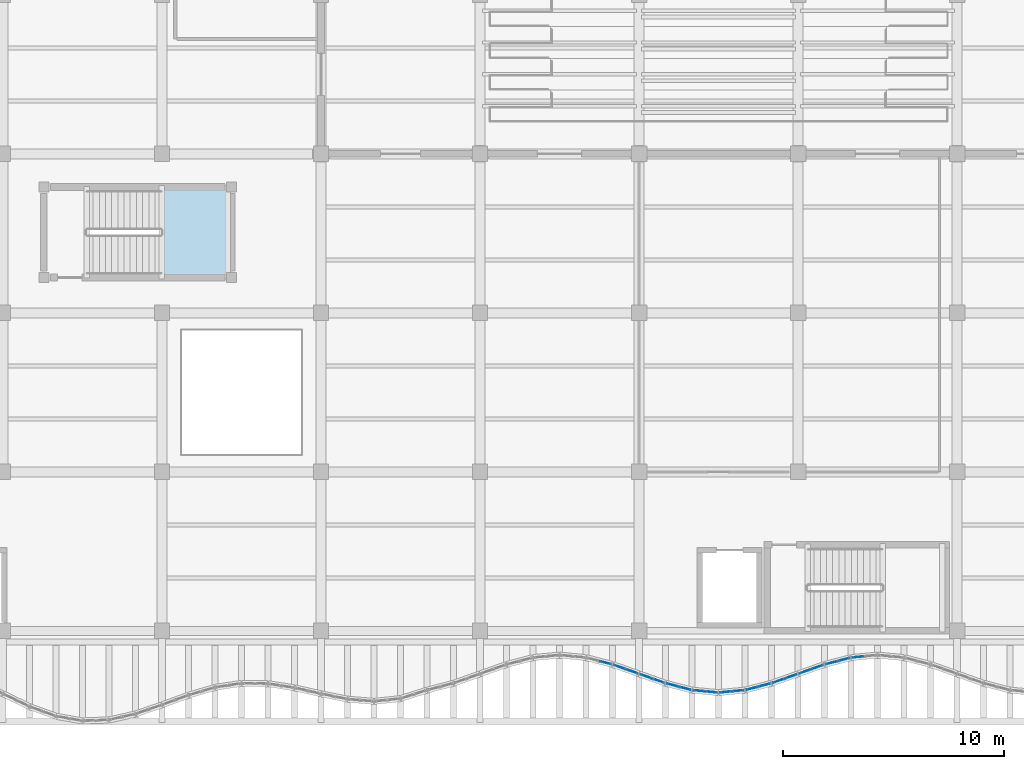
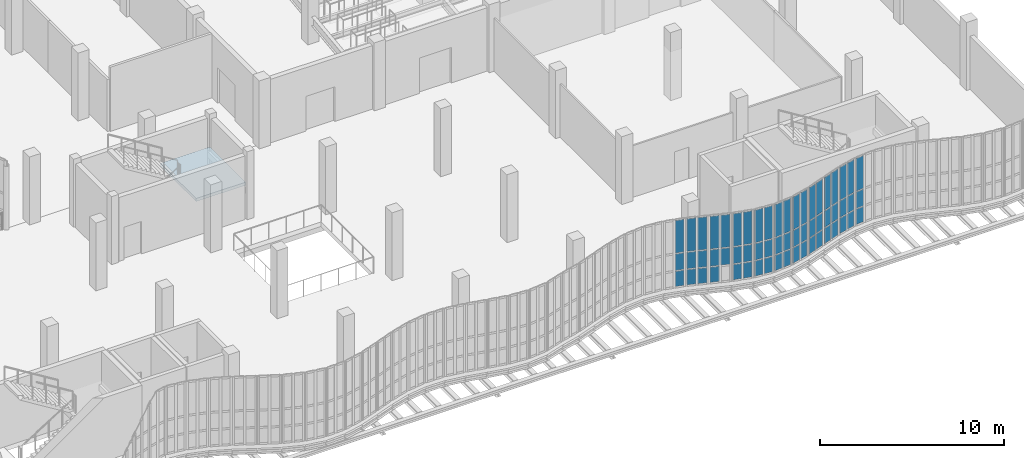
# One storey, part 81 of 108: 59 plates, 1 slab, 12 elements without a shape of their own.
"""IFC4 building model written with IfcOpenShell, lengths in metres."""

import ifcopenshell
import ifcopenshell.guid

model = None  # the IFC model being written
_history = None  # IfcOwnerHistory: only IFC2X3 demands one
_inside = {}  # id of a spatial element -> (the spatial element, [elements in it])
_under = {}  # id of a project, library or spatial element -> (it, [spatial elements below it])
_declared = {}  # id of a project -> (the project, [libraries it declares])
_typed = {}  # id of a type object -> (the type object, [elements of that type])
_made_of = {}  # id of a material, layer set ... -> (it, [elements and type objects made of it])


def new_model(schema):
    """Start an empty IFC model of exactly this schema.

    Asked for "IFC4X3", IfcOpenShell would pick the latest addendum, in which some entities
    have other attributes; the version numbers below select the first issue.
    IFC2X3 requires an IfcOwnerHistory on every rooted entity: one is made here for all.
    """
    global model, _history
    if schema == "IFC4X3":
        model = ifcopenshell.file(schema_version=(4, 3, 0, 0))
    else:
        model = ifcopenshell.file(schema=schema)
    _inside.clear()
    _under.clear()
    _declared.clear()
    _typed.clear()
    _made_of.clear()
    _history = None
    if model.schema == "IFC2X3":
        org = make("IfcOrganization", Name="unknown")
        user = make(
            "IfcPersonAndOrganization",
            ThePerson=make("IfcPerson", FamilyName="unknown"),
            TheOrganization=org,
        )
        app = make(
            "IfcApplication",
            ApplicationDeveloper=org,
            Version="unknown",
            ApplicationFullName="unknown",
            ApplicationIdentifier="unknown",
        )
        _history = make(
            "IfcOwnerHistory",
            OwningUser=user,
            OwningApplication=app,
            ChangeAction="ADDED",
            CreationDate=0,
        )
    return model


def make(cls, **values):
    """One entity of the class cls with the attributes given. An attribute that is None is left unset."""
    return model.create_entity(
        cls, **{name: value for name, value in values.items() if value is not None}
    )


def rooted(cls, **values):
    """An entity with a GlobalId (a new one), such as an element, a storey or a relation."""
    return make(cls, GlobalId=ifcopenshell.guid.new(), OwnerHistory=_history, **values)


def si_unit(unit_type, name, prefix=None):
    """IfcSIUnit, for example si_unit("LENGTHUNIT", "METRE", prefix="MILLI")."""
    return make("IfcSIUnit", UnitType=unit_type, Prefix=prefix, Name=name)


def assignment(units):
    """IfcUnitAssignment: the units of a project."""
    return None if units is None else make("IfcUnitAssignment", Units=units)


def point(xyz):
    """IfcCartesianPoint."""
    return None if xyz is None else make("IfcCartesianPoint", Coordinates=xyz)


def direction(xyz):
    """IfcDirection."""
    return None if xyz is None else make("IfcDirection", DirectionRatios=xyz)


def frame(location, z_axis=None, x_axis=None):
    """IfcAxis2Placement3D, a coordinate frame: its origin and axes. An axis left out is left unset."""
    return make(
        "IfcAxis2Placement3D",
        Location=point(location),
        Axis=direction(z_axis),
        RefDirection=direction(x_axis),
    )


def frame_2d(location, x_axis=None):
    """IfcAxis2Placement2D, a coordinate frame in the plane: its origin and x axis."""
    return make(
        "IfcAxis2Placement2D", Location=point(location), RefDirection=direction(x_axis)
    )


def origin():
    """The frame at (0, 0, 0) with its axes left unset."""
    return frame((0.0, 0.0, 0.0))


def origin_2d():
    """The frame at (0, 0) in the plane with its x axis left unset."""
    return frame_2d((0.0, 0.0))


def place(relative_to, where):
    """IfcLocalPlacement: puts the frame where relative to a parent placement (None: the world)."""
    return make(
        "IfcLocalPlacement", PlacementRelTo=relative_to, RelativePlacement=where
    )


def context(
    kind, dimensions, precision=None, world=None, true_north=None, identifier=None
):
    """IfcGeometricRepresentationContext, for example the 3D "Model" context."""
    return make(
        "IfcGeometricRepresentationContext",
        ContextIdentifier=identifier,
        ContextType=kind,
        CoordinateSpaceDimension=dimensions,
        Precision=precision,
        WorldCoordinateSystem=world,
        TrueNorth=true_north,
    )


def subcontext(parent, identifier, kind, view, scale=None):
    """IfcGeometricRepresentationSubContext, for example "Body" below "Model"."""
    return make(
        "IfcGeometricRepresentationSubContext",
        ContextIdentifier=identifier,
        ContextType=kind,
        ParentContext=parent,
        TargetScale=scale,
        TargetView=view,
    )


def project(units=None, contexts=None):
    """IfcProject with its units and contexts."""
    return rooted(
        "IfcProject",
        Name="project",
        RepresentationContexts=contexts,
        UnitsInContext=assignment(units),
    )


def spatial(cls, under=None, at=None, **own):
    """A site, building, storey or space (cls), placed at a placement, below another one or the project."""
    s = rooted(cls, ObjectPlacement=at, **own)
    if under is not None:
        _under.setdefault(under.id(), (under, []))[1].append(s)
    return s


def polyline(points):
    """IfcPolyline through the points."""
    return make("IfcPolyline", Points=[point(p) for p in points])


def profile(cls, at=None, kind="AREA", **sizes):
    """A parametric profile (cls). Its sizes go by their IFC names, for example OverallWidth=200.0."""
    return make(cls, ProfileType=kind, Position=at, **sizes)


def rectangle(**sizes):
    """IfcRectangleProfileDef."""
    return profile("IfcRectangleProfileDef", **sizes)


def outline(outer, holes=None, kind="AREA"):
    """IfcArbitraryClosedProfileDef: a profile drawn as a closed curve; with holes, ...WithVoids."""
    if holes is None:
        return make("IfcArbitraryClosedProfileDef", ProfileType=kind, OuterCurve=outer)
    return make(
        "IfcArbitraryProfileDefWithVoids",
        ProfileType=kind,
        OuterCurve=outer,
        InnerCurves=holes,
    )


def extrude(swept, where, along, depth):
    """IfcExtrudedAreaSolid: the profile swept, set in the frame where, extruded along a direction by depth."""
    return make(
        "IfcExtrudedAreaSolid",
        SweptArea=swept,
        Position=where,
        ExtrudedDirection=direction(along),
        Depth=depth,
    )


def shape(context_of_items, identifier, shape_type, items):
    """IfcShapeRepresentation: the items that make up one representation, for example the "Body"."""
    return make(
        "IfcShapeRepresentation",
        ContextOfItems=context_of_items,
        RepresentationIdentifier=identifier,
        RepresentationType=shape_type,
        Items=items,
    )


def material(Name=None, Category=None):
    """IfcMaterial."""
    return make("IfcMaterial", Name=Name, Category=Category)


def layer(
    of_material, thickness, ventilated=None, Name=None, Category=None, Priority=None
):
    """IfcMaterialLayer: one layer of a wall or slab, of a material (None: an air gap)."""
    return make(
        "IfcMaterialLayer",
        Material=of_material,
        LayerThickness=thickness,
        IsVentilated=ventilated,
        Name=Name,
        Category=Category,
        Priority=Priority,
    )


def layer_set(layers, Name=None):
    """IfcMaterialLayerSet."""
    return make("IfcMaterialLayerSet", MaterialLayers=layers, LayerSetName=Name)


def made_of(thing, what):
    """Note that an element or type object is made of a material, layer set ...; save() writes the relation."""
    if what is not None:
        _made_of.setdefault(what.id(), (what, []))[1].append(thing)
    return thing


def type_object(cls, material=None, **own):
    """A type object (cls), such as IfcWallType, which elements share."""
    return made_of(rooted(cls, **own), material)


def element(
    cls,
    number,
    at=None,
    inside=None,
    cuts=None,
    type_object=None,
    material=None,
    context=None,
    identifier="Body",
    shape_type=None,
    held_by="IfcProductDefinitionShape",
    body=None,
    shapes=None,
    **own,
):
    """One element of the class cls, such as IfcWall. Its Tag is "e" and its number.

    at: its placement. inside: the storey or other place that contains it. cuts: it is an
    opening in that element (IfcRelVoidsElement). A single representation is given by context,
    identifier, shape_type and body (its items); several are given by shapes. held_by: the class
    of the entity that holds the representations. save() writes the other relations.
    """
    e = rooted(cls, Tag="e%d" % number, ObjectPlacement=at, **own)
    if body is not None:
        shapes = [shape(context, identifier, shape_type, body)]
    if shapes is not None:
        e.Representation = make(held_by, Representations=shapes)
    if inside is not None:
        _inside.setdefault(inside.id(), (inside, []))[1].append(e)
    if cuts is not None:
        rooted(
            "IfcRelVoidsElement", RelatingBuildingElement=cuts, RelatedOpeningElement=e
        )
    if type_object is not None:
        _typed.setdefault(type_object.id(), (type_object, []))[1].append(e)
    return made_of(e, material)


def aggregate(whole, parts):
    """IfcRelAggregates: a whole, such as a stair, and the parts it consists of."""
    return rooted("IfcRelAggregates", RelatingObject=whole, RelatedObjects=parts)


def save(model, path):
    """Write the relations noted so far, then the file.

    IfcRelAggregates (storeys below a building ...), IfcRelContainedInSpatialStructure (elements
    in a storey), IfcRelDefinesByType, IfcRelAssociatesMaterial and IfcRelDeclares: one each for
    every whole, place, type object, material and project.
    """
    for whole, parts in _under.values():
        aggregate(whole, parts)
    for where, things in _inside.values():
        rooted(
            "IfcRelContainedInSpatialStructure",
            RelatedElements=things,
            RelatingStructure=where,
        )
    for kind, things in _typed.values():
        rooted("IfcRelDefinesByType", RelatedObjects=things, RelatingType=kind)
    for what, things in _made_of.values():
        rooted("IfcRelAssociatesMaterial", RelatedObjects=things, RelatingMaterial=what)
    for by, libraries in _declared.values():
        rooted("IfcRelDeclares", RelatingContext=by, RelatedDefinitions=libraries)
    model.write(path)


model = new_model("IFC4")

# Units and contexts
model_context = context("Model", 3, precision=1e-05, world=origin(), true_north=direction((0.0, 1.0)))
body_context = subcontext(model_context, "Body", "Model", "MODEL_VIEW")
ifc_project = project(units=[si_unit("LENGTHUNIT", "METRE"), si_unit("AREAUNIT", "SQUARE_METRE"), si_unit("VOLUMEUNIT", "CUBIC_METRE"), si_unit("PLANEANGLEUNIT", "RADIAN"), si_unit("MASSUNIT", "GRAM", prefix="KILO"), si_unit("THERMODYNAMICTEMPERATUREUNIT", "KELVIN"), si_unit("POWERUNIT", "WATT")], contexts=[model_context])

# Site, building, storey
site_placement = place(None, origin())
site = spatial("IfcSite", under=ifc_project, at=site_placement, CompositionType="ELEMENT")
building_placement = place(site_placement, origin())
building = spatial("IfcBuilding", under=site, at=building_placement, Name="Kaldorven Railside Theatre", CompositionType="ELEMENT")
storey_placement = place(building_placement, frame((0.0, 0.0, 5.39990234375)))
storey = spatial("IfcBuildingStorey", under=building, at=storey_placement, Name="L01", CompositionType="ELEMENT", Elevation=5.39990234375)

# Curtain wall, plates
ifc_material_1 = material(Name="Low-E laminated solar-control glass", Category="glass")
ifc_layer_1 = layer(ifc_material_1, 0.159912109375, Name="Low-E laminated solar-control glass")
ifc_layer_set_1 = layer_set([ifc_layer_1], Name="Low-E laminated solar-control glass")
curtain_wall_type_1 = type_object("IfcCurtainWallType", Name="CWT-02", PredefinedType="USERDEFINED", material=ifc_layer_set_1)
curtain_wall_1_placement = place(storey_placement, origin())
curtain_wall_1 = element("IfcCurtainWall", 1, at=curtain_wall_1_placement, inside=storey, type_object=curtain_wall_type_1, Name="Sinusoidal Fluted Curtain Wall CW-L01-S53", ObjectType="FLUTED GLAZING", PredefinedType="USERDEFINED")
ifc_layer_2 = layer(ifc_material_1, 0.028076171875, Name="Low-E laminated solar-control glass")
ifc_layer_set_2 = layer_set([ifc_layer_2], Name="Low-E laminated solar-control glass")
plate_type = type_object("IfcPlateType", Name="CWP-GLZ28", PredefinedType="CURTAIN_PANEL", material=ifc_layer_set_2)
plate_1_placement = place(storey_placement, frame((100.08056640625, 17.7578125, 0.06005859375), z_axis=(0.0, 0.0, 1.0), x_axis=(0.967999075505, -0.250953760326, 0.0)))
plate_1 = element("IfcPlate", 2, at=plate_1_placement, type_object=plate_type, Name="CW-L01-S53 panel 2.1", PredefinedType="CURTAIN_PANEL", context=body_context, shape_type="SweptSolid", body=[
    extrude(rectangle(XDim=0.499755859375, YDim=0.028076171875, at=origin_2d()), origin(), (0.0, 0.0, 1.0), 1.010009765625),
])
plate_2_placement = place(storey_placement, frame((100.08056640625, 17.7578125, 1.1298828125), z_axis=(0.0, 0.0, 1.0), x_axis=(0.967999075505, -0.250953760326, 0.0)))
plate_2 = element("IfcPlate", 3, at=plate_2_placement, type_object=plate_type, Name="CW-L01-S53 panel 2.2", PredefinedType="CURTAIN_PANEL", context=body_context, shape_type="SweptSolid", body=[
    extrude(rectangle(XDim=0.499755859375, YDim=0.028076171875, at=origin_2d()), origin(), (0.0, 0.0, 1.0), 1.090087890625),
])
plate_3_placement = place(storey_placement, frame((100.08056640625, 17.7578125, 2.2802734375), z_axis=(0.0, 0.0, 1.0), x_axis=(0.967999075505, -0.250953760326, 0.0)))
plate_3 = element("IfcPlate", 4, at=plate_3_placement, type_object=plate_type, Name="CW-L01-S53 panel 2.3", PredefinedType="CURTAIN_PANEL", context=body_context, shape_type="SweptSolid", body=[
    extrude(rectangle(XDim=0.499755859375, YDim=0.028076171875, at=origin_2d()), origin(), (0.0, 0.0, 1.0), 2.159912109375),
])
aggregate(curtain_wall_1, [plate_1, plate_2, plate_3])

ifc_layer_3 = layer(ifc_material_1, 0.159912109375, Name="Low-E laminated solar-control glass")
ifc_layer_set_3 = layer_set([ifc_layer_3], Name="Low-E laminated solar-control glass")
curtain_wall_type_2 = type_object("IfcCurtainWallType", Name="CWT-01", PredefinedType="USERDEFINED", material=ifc_layer_set_3)
curtain_wall_2_placement = place(storey_placement, origin())
curtain_wall_2 = element("IfcCurtainWall", 5, at=curtain_wall_2_placement, inside=storey, type_object=curtain_wall_type_2, Name="Sinusoidal Fluted Curtain Wall CW-L01-S54", ObjectType="FLUTED GLAZING", PredefinedType="USERDEFINED")
plate_4_placement = place(storey_placement, frame((100.71875, 17.56201171875, 0.06005859375), z_axis=(0.0, 0.0, 1.0), x_axis=(0.942627225159, -0.33384714225, 0.0)))
plate_4 = element("IfcPlate", 6, at=plate_4_placement, type_object=plate_type, Name="CW-L01-S54 panel 1.1", PredefinedType="CURTAIN_PANEL", context=body_context, shape_type="SweptSolid", body=[
    extrude(rectangle(XDim=0.5166015625, YDim=0.028076171875, at=origin_2d()), origin(), (0.0, 0.0, 1.0), 1.010009765625),
])
plate_5_placement = place(storey_placement, frame((100.71875, 17.56201171875, 1.1298828125), z_axis=(0.0, 0.0, 1.0), x_axis=(0.942627225159, -0.33384714225, 0.0)))
plate_5 = element("IfcPlate", 7, at=plate_5_placement, type_object=plate_type, Name="CW-L01-S54 panel 1.2", PredefinedType="CURTAIN_PANEL", context=body_context, shape_type="SweptSolid", body=[
    extrude(rectangle(XDim=0.5166015625, YDim=0.028076171875, at=origin_2d()), origin(), (0.0, 0.0, 1.0), 1.090087890625),
])
plate_6_placement = place(storey_placement, frame((100.71875, 17.56201171875, 2.2802734375), z_axis=(0.0, 0.0, 1.0), x_axis=(0.942627225159, -0.33384714225, 0.0)))
plate_6 = element("IfcPlate", 8, at=plate_6_placement, type_object=plate_type, Name="CW-L01-S54 panel 1.3", PredefinedType="CURTAIN_PANEL", context=body_context, shape_type="SweptSolid", body=[
    extrude(rectangle(XDim=0.5166015625, YDim=0.028076171875, at=origin_2d()), origin(), (0.0, 0.0, 1.0), 2.159912109375),
])
plate_7_placement = place(storey_placement, frame((101.28125, 17.363037109375, 0.06005859375), z_axis=(0.0, 0.0, 1.0), x_axis=(0.942627225159, -0.33384714225, 0.0)))
plate_7 = element("IfcPlate", 9, at=plate_7_placement, type_object=plate_type, Name="CW-L01-S54 panel 2.1", PredefinedType="CURTAIN_PANEL", context=body_context, shape_type="SweptSolid", body=[
    extrude(rectangle(XDim=0.5166015625, YDim=0.028076171875, at=origin_2d()), origin(), (0.0, 0.0, 1.0), 1.010009765625),
])
plate_8_placement = place(storey_placement, frame((101.28125, 17.363037109375, 1.1298828125), z_axis=(0.0, 0.0, 1.0), x_axis=(0.942627225159, -0.33384714225, 0.0)))
plate_8 = element("IfcPlate", 10, at=plate_8_placement, type_object=plate_type, Name="CW-L01-S54 panel 2.2", PredefinedType="CURTAIN_PANEL", context=body_context, shape_type="SweptSolid", body=[
    extrude(rectangle(XDim=0.5166015625, YDim=0.028076171875, at=origin_2d()), origin(), (0.0, 0.0, 1.0), 1.090087890625),
])
plate_9_placement = place(storey_placement, frame((101.28125, 17.363037109375, 2.2802734375), z_axis=(0.0, 0.0, 1.0), x_axis=(0.942627225159, -0.33384714225, 0.0)))
plate_9 = element("IfcPlate", 11, at=plate_9_placement, type_object=plate_type, Name="CW-L01-S54 panel 2.3", PredefinedType="CURTAIN_PANEL", context=body_context, shape_type="SweptSolid", body=[
    extrude(rectangle(XDim=0.5166015625, YDim=0.028076171875, at=origin_2d()), origin(), (0.0, 0.0, 1.0), 2.159912109375),
])
aggregate(curtain_wall_2, [plate_4, plate_5, plate_6, plate_7, plate_8, plate_9])

curtain_wall_3_placement = place(storey_placement, origin())
curtain_wall_3 = element("IfcCurtainWall", 12, at=curtain_wall_3_placement, inside=storey, type_object=curtain_wall_type_2, Name="Sinusoidal Fluted Curtain Wall CW-L01-S55", ObjectType="FLUTED GLAZING", PredefinedType="USERDEFINED")
plate_10_placement = place(storey_placement, frame((101.9189453125, 17.136962890625, 0.06005859375), z_axis=(0.0, 0.0, 1.0), x_axis=(0.942627225159, -0.33384714225, 0.0)))
plate_10 = element("IfcPlate", 13, at=plate_10_placement, type_object=plate_type, Name="CW-L01-S55 panel 1.1", PredefinedType="CURTAIN_PANEL", context=body_context, shape_type="SweptSolid", body=[
    extrude(rectangle(XDim=0.5166015625, YDim=0.028076171875, at=origin_2d()), origin(), (0.0, 0.0, 1.0), 1.010009765625),
])
plate_11_placement = place(storey_placement, frame((101.9189453125, 17.136962890625, 1.1298828125), z_axis=(0.0, 0.0, 1.0), x_axis=(0.942627225159, -0.33384714225, 0.0)))
plate_11 = element("IfcPlate", 14, at=plate_11_placement, type_object=plate_type, Name="CW-L01-S55 panel 1.2", PredefinedType="CURTAIN_PANEL", context=body_context, shape_type="SweptSolid", body=[
    extrude(rectangle(XDim=0.5166015625, YDim=0.028076171875, at=origin_2d()), origin(), (0.0, 0.0, 1.0), 1.090087890625),
])
plate_12_placement = place(storey_placement, frame((101.9189453125, 17.136962890625, 2.2802734375), z_axis=(0.0, 0.0, 1.0), x_axis=(0.942627225159, -0.33384714225, 0.0)))
plate_12 = element("IfcPlate", 15, at=plate_12_placement, type_object=plate_type, Name="CW-L01-S55 panel 1.3", PredefinedType="CURTAIN_PANEL", context=body_context, shape_type="SweptSolid", body=[
    extrude(rectangle(XDim=0.5166015625, YDim=0.028076171875, at=origin_2d()), origin(), (0.0, 0.0, 1.0), 2.159912109375),
])
plate_13_placement = place(storey_placement, frame((102.481201171875, 16.93798828125, 1.1298828125), z_axis=(0.0, 0.0, 1.0), x_axis=(0.942627225159, -0.33384714225, 0.0)))
plate_13 = element("IfcPlate", 16, at=plate_13_placement, type_object=plate_type, Name="CW-L01-S55 panel 2.2", PredefinedType="CURTAIN_PANEL", context=body_context, shape_type="SweptSolid", body=[
    extrude(rectangle(XDim=0.5166015625, YDim=0.028076171875, at=origin_2d()), origin(), (0.0, 0.0, 1.0), 1.090087890625),
])
plate_14_placement = place(storey_placement, frame((102.481201171875, 16.93798828125, 2.2802734375), z_axis=(0.0, 0.0, 1.0), x_axis=(0.942627225159, -0.33384714225, 0.0)))
plate_14 = element("IfcPlate", 17, at=plate_14_placement, type_object=plate_type, Name="CW-L01-S55 panel 2.3", PredefinedType="CURTAIN_PANEL", context=body_context, shape_type="SweptSolid", body=[
    extrude(rectangle(XDim=0.5166015625, YDim=0.028076171875, at=origin_2d()), origin(), (0.0, 0.0, 1.0), 2.159912109375),
])
aggregate(curtain_wall_3, [plate_10, plate_11, plate_12, plate_13, plate_14])

curtain_wall_4_placement = place(storey_placement, origin())
curtain_wall_4 = element("IfcCurtainWall", 18, at=curtain_wall_4_placement, inside=storey, type_object=curtain_wall_type_1, Name="Sinusoidal Fluted Curtain Wall CW-L01-S56", ObjectType="FLUTED GLAZING", PredefinedType="USERDEFINED")
plate_15_placement = place(storey_placement, frame((103.119384765625, 16.7421875, 0.06005859375), z_axis=(0.0, 0.0, 1.0), x_axis=(0.967999075505, -0.250953760326, 0.0)))
plate_15 = element("IfcPlate", 19, at=plate_15_placement, type_object=plate_type, Name="CW-L01-S56 panel 1.1", PredefinedType="CURTAIN_PANEL", context=body_context, shape_type="SweptSolid", body=[
    extrude(rectangle(XDim=0.499755859375, YDim=0.028076171875, at=origin_2d()), origin(), (0.0, 0.0, 1.0), 1.010009765625),
])
plate_16_placement = place(storey_placement, frame((103.119384765625, 16.7421875, 1.1298828125), z_axis=(0.0, 0.0, 1.0), x_axis=(0.967999075505, -0.250953760326, 0.0)))
plate_16 = element("IfcPlate", 20, at=plate_16_placement, type_object=plate_type, Name="CW-L01-S56 panel 1.2", PredefinedType="CURTAIN_PANEL", context=body_context, shape_type="SweptSolid", body=[
    extrude(rectangle(XDim=0.499755859375, YDim=0.028076171875, at=origin_2d()), origin(), (0.0, 0.0, 1.0), 1.090087890625),
])
plate_17_placement = place(storey_placement, frame((103.119384765625, 16.7421875, 2.2802734375), z_axis=(0.0, 0.0, 1.0), x_axis=(0.967999075505, -0.250953760326, 0.0)))
plate_17 = element("IfcPlate", 21, at=plate_17_placement, type_object=plate_type, Name="CW-L01-S56 panel 1.3", PredefinedType="CURTAIN_PANEL", context=body_context, shape_type="SweptSolid", body=[
    extrude(rectangle(XDim=0.499755859375, YDim=0.028076171875, at=origin_2d()), origin(), (0.0, 0.0, 1.0), 2.159912109375),
])
plate_18_placement = place(storey_placement, frame((103.6806640625, 16.5966796875, 0.06005859375), z_axis=(0.0, 0.0, 1.0), x_axis=(0.967999075505, -0.250953760326, 0.0)))
plate_18 = element("IfcPlate", 22, at=plate_18_placement, type_object=plate_type, Name="CW-L01-S56 panel 2.1", PredefinedType="CURTAIN_PANEL", context=body_context, shape_type="SweptSolid", body=[
    extrude(rectangle(XDim=0.499755859375, YDim=0.028076171875, at=origin_2d()), origin(), (0.0, 0.0, 1.0), 1.010009765625),
])
plate_19_placement = place(storey_placement, frame((103.6806640625, 16.5966796875, 1.1298828125), z_axis=(0.0, 0.0, 1.0), x_axis=(0.967999075505, -0.250953760326, 0.0)))
plate_19 = element("IfcPlate", 23, at=plate_19_placement, type_object=plate_type, Name="CW-L01-S56 panel 2.2", PredefinedType="CURTAIN_PANEL", context=body_context, shape_type="SweptSolid", body=[
    extrude(rectangle(XDim=0.499755859375, YDim=0.028076171875, at=origin_2d()), origin(), (0.0, 0.0, 1.0), 1.090087890625),
])
plate_20_placement = place(storey_placement, frame((103.6806640625, 16.5966796875, 2.2802734375), z_axis=(0.0, 0.0, 1.0), x_axis=(0.967999075505, -0.250953760326, 0.0)))
plate_20 = element("IfcPlate", 24, at=plate_20_placement, type_object=plate_type, Name="CW-L01-S56 panel 2.3", PredefinedType="CURTAIN_PANEL", context=body_context, shape_type="SweptSolid", body=[
    extrude(rectangle(XDim=0.499755859375, YDim=0.028076171875, at=origin_2d()), origin(), (0.0, 0.0, 1.0), 2.159912109375),
])
aggregate(curtain_wall_4, [plate_15, plate_16, plate_17, plate_18, plate_19, plate_20])

ifc_layer_4 = layer(ifc_material_1, 0.159912109375, Name="Low-E laminated solar-control glass")
ifc_layer_set_4 = layer_set([ifc_layer_4], Name="Low-E laminated solar-control glass")
curtain_wall_type_3 = type_object("IfcCurtainWallType", Name="CWT-03", PredefinedType="USERDEFINED", material=ifc_layer_set_4)
curtain_wall_5_placement = place(storey_placement, origin())
curtain_wall_5 = element("IfcCurtainWall", 25, at=curtain_wall_5_placement, inside=storey, type_object=curtain_wall_type_3, Name="Sinusoidal Fluted Curtain Wall CW-L01-S57", ObjectType="FLUTED GLAZING", PredefinedType="USERDEFINED")
plate_21_placement = place(storey_placement, frame((104.31982421875, 16.483642578125, 0.06005859375), z_axis=(0.0, 0.0, 1.0), x_axis=(0.995525623425, -0.094491973758, 0.0)))
plate_21 = element("IfcPlate", 26, at=plate_21_placement, type_object=plate_type, Name="CW-L01-S57 panel 1.1", PredefinedType="CURTAIN_PANEL", context=body_context, shape_type="SweptSolid", body=[
    extrude(rectangle(XDim=0.482666015625, YDim=0.028076171875, at=origin_2d()), origin(), (0.0, 0.0, 1.0), 1.010009765625),
])
plate_22_placement = place(storey_placement, frame((104.31982421875, 16.483642578125, 1.1298828125), z_axis=(0.0, 0.0, 1.0), x_axis=(0.995525623425, -0.094491973758, 0.0)))
plate_22 = element("IfcPlate", 27, at=plate_22_placement, type_object=plate_type, Name="CW-L01-S57 panel 1.2", PredefinedType="CURTAIN_PANEL", context=body_context, shape_type="SweptSolid", body=[
    extrude(rectangle(XDim=0.482666015625, YDim=0.028076171875, at=origin_2d()), origin(), (0.0, 0.0, 1.0), 1.090087890625),
])
plate_23_placement = place(storey_placement, frame((104.31982421875, 16.483642578125, 2.2802734375), z_axis=(0.0, 0.0, 1.0), x_axis=(0.995525623425, -0.094491973758, 0.0)))
plate_23 = element("IfcPlate", 28, at=plate_23_placement, type_object=plate_type, Name="CW-L01-S57 panel 1.3", PredefinedType="CURTAIN_PANEL", context=body_context, shape_type="SweptSolid", body=[
    extrude(rectangle(XDim=0.482666015625, YDim=0.028076171875, at=origin_2d()), origin(), (0.0, 0.0, 1.0), 2.159912109375),
])
plate_24_placement = place(storey_placement, frame((104.880126953125, 16.430419921875, 0.06005859375), z_axis=(0.0, 0.0, 1.0), x_axis=(0.995525623425, -0.094491973758, 0.0)))
plate_24 = element("IfcPlate", 29, at=plate_24_placement, type_object=plate_type, Name="CW-L01-S57 panel 2.1", PredefinedType="CURTAIN_PANEL", context=body_context, shape_type="SweptSolid", body=[
    extrude(rectangle(XDim=0.482666015625, YDim=0.028076171875, at=origin_2d()), origin(), (0.0, 0.0, 1.0), 1.010009765625),
])
plate_25_placement = place(storey_placement, frame((104.880126953125, 16.430419921875, 1.1298828125), z_axis=(0.0, 0.0, 1.0), x_axis=(0.995525623425, -0.094491973758, 0.0)))
plate_25 = element("IfcPlate", 30, at=plate_25_placement, type_object=plate_type, Name="CW-L01-S57 panel 2.2", PredefinedType="CURTAIN_PANEL", context=body_context, shape_type="SweptSolid", body=[
    extrude(rectangle(XDim=0.482666015625, YDim=0.028076171875, at=origin_2d()), origin(), (0.0, 0.0, 1.0), 1.090087890625),
])
plate_26_placement = place(storey_placement, frame((104.880126953125, 16.430419921875, 2.2802734375), z_axis=(0.0, 0.0, 1.0), x_axis=(0.995525623425, -0.094491973758, 0.0)))
plate_26 = element("IfcPlate", 31, at=plate_26_placement, type_object=plate_type, Name="CW-L01-S57 panel 2.3", PredefinedType="CURTAIN_PANEL", context=body_context, shape_type="SweptSolid", body=[
    extrude(rectangle(XDim=0.482666015625, YDim=0.028076171875, at=origin_2d()), origin(), (0.0, 0.0, 1.0), 2.159912109375),
])
aggregate(curtain_wall_5, [plate_21, plate_22, plate_23, plate_24, plate_25, plate_26])

curtain_wall_6_placement = place(storey_placement, origin())
curtain_wall_6 = element("IfcCurtainWall", 32, at=curtain_wall_6_placement, inside=storey, type_object=curtain_wall_type_3, Name="Sinusoidal Fluted Curtain Wall CW-L01-S58", ObjectType="FLUTED GLAZING", PredefinedType="USERDEFINED")
plate_27_placement = place(storey_placement, frame((105.52001953125, 16.430419921875, 0.06005859375), z_axis=(0.0, 0.0, 1.0), x_axis=(0.995525623425, 0.094491973758, 0.0)))
plate_27 = element("IfcPlate", 33, at=plate_27_placement, type_object=plate_type, Name="CW-L01-S58 panel 1.1", PredefinedType="CURTAIN_PANEL", context=body_context, shape_type="SweptSolid", body=[
    extrude(rectangle(XDim=0.482666015625, YDim=0.028076171875, at=origin_2d()), origin(), (0.0, 0.0, 1.0), 1.010009765625),
])
plate_28_placement = place(storey_placement, frame((105.52001953125, 16.430419921875, 1.1298828125), z_axis=(0.0, 0.0, 1.0), x_axis=(0.995525623425, 0.094491973758, 0.0)))
plate_28 = element("IfcPlate", 34, at=plate_28_placement, type_object=plate_type, Name="CW-L01-S58 panel 1.2", PredefinedType="CURTAIN_PANEL", context=body_context, shape_type="SweptSolid", body=[
    extrude(rectangle(XDim=0.482666015625, YDim=0.028076171875, at=origin_2d()), origin(), (0.0, 0.0, 1.0), 1.090087890625),
])
plate_29_placement = place(storey_placement, frame((105.52001953125, 16.430419921875, 2.2802734375), z_axis=(0.0, 0.0, 1.0), x_axis=(0.995525623425, 0.094491973758, 0.0)))
plate_29 = element("IfcPlate", 35, at=plate_29_placement, type_object=plate_type, Name="CW-L01-S58 panel 1.3", PredefinedType="CURTAIN_PANEL", context=body_context, shape_type="SweptSolid", body=[
    extrude(rectangle(XDim=0.482666015625, YDim=0.028076171875, at=origin_2d()), origin(), (0.0, 0.0, 1.0), 2.159912109375),
])
plate_30_placement = place(storey_placement, frame((106.080078125, 16.483642578125, 0.06005859375), z_axis=(0.0, 0.0, 1.0), x_axis=(0.995525623425, 0.094491973758, 0.0)))
plate_30 = element("IfcPlate", 36, at=plate_30_placement, type_object=plate_type, Name="CW-L01-S58 panel 2.1", PredefinedType="CURTAIN_PANEL", context=body_context, shape_type="SweptSolid", body=[
    extrude(rectangle(XDim=0.482666015625, YDim=0.028076171875, at=origin_2d()), origin(), (0.0, 0.0, 1.0), 1.010009765625),
])
plate_31_placement = place(storey_placement, frame((106.080078125, 16.483642578125, 1.1298828125), z_axis=(0.0, 0.0, 1.0), x_axis=(0.995525623425, 0.094491973758, 0.0)))
plate_31 = element("IfcPlate", 37, at=plate_31_placement, type_object=plate_type, Name="CW-L01-S58 panel 2.2", PredefinedType="CURTAIN_PANEL", context=body_context, shape_type="SweptSolid", body=[
    extrude(rectangle(XDim=0.482666015625, YDim=0.028076171875, at=origin_2d()), origin(), (0.0, 0.0, 1.0), 1.090087890625),
])
plate_32_placement = place(storey_placement, frame((106.080078125, 16.483642578125, 2.2802734375), z_axis=(0.0, 0.0, 1.0), x_axis=(0.995525623425, 0.094491973758, 0.0)))
plate_32 = element("IfcPlate", 38, at=plate_32_placement, type_object=plate_type, Name="CW-L01-S58 panel 2.3", PredefinedType="CURTAIN_PANEL", context=body_context, shape_type="SweptSolid", body=[
    extrude(rectangle(XDim=0.482666015625, YDim=0.028076171875, at=origin_2d()), origin(), (0.0, 0.0, 1.0), 2.159912109375),
])
aggregate(curtain_wall_6, [plate_27, plate_28, plate_29, plate_30, plate_31, plate_32])

curtain_wall_7_placement = place(storey_placement, origin())
curtain_wall_7 = element("IfcCurtainWall", 39, at=curtain_wall_7_placement, inside=storey, type_object=curtain_wall_type_1, Name="Sinusoidal Fluted Curtain Wall CW-L01-S59", ObjectType="FLUTED GLAZING", PredefinedType="USERDEFINED")
plate_33_placement = place(storey_placement, frame((106.71923828125, 16.5966796875, 0.06005859375), z_axis=(0.0, 0.0, 1.0), x_axis=(0.967999075505, 0.250953760326, 0.0)))
plate_33 = element("IfcPlate", 40, at=plate_33_placement, type_object=plate_type, Name="CW-L01-S59 panel 1.1", PredefinedType="CURTAIN_PANEL", context=body_context, shape_type="SweptSolid", body=[
    extrude(rectangle(XDim=0.499755859375, YDim=0.028076171875, at=origin_2d()), origin(), (0.0, 0.0, 1.0), 1.010009765625),
])
plate_34_placement = place(storey_placement, frame((106.71923828125, 16.5966796875, 1.1298828125), z_axis=(0.0, 0.0, 1.0), x_axis=(0.967999075505, 0.250953760326, 0.0)))
plate_34 = element("IfcPlate", 41, at=plate_34_placement, type_object=plate_type, Name="CW-L01-S59 panel 1.2", PredefinedType="CURTAIN_PANEL", context=body_context, shape_type="SweptSolid", body=[
    extrude(rectangle(XDim=0.499755859375, YDim=0.028076171875, at=origin_2d()), origin(), (0.0, 0.0, 1.0), 1.090087890625),
])
plate_35_placement = place(storey_placement, frame((106.71923828125, 16.5966796875, 2.2802734375), z_axis=(0.0, 0.0, 1.0), x_axis=(0.967999075505, 0.250953760326, 0.0)))
plate_35 = element("IfcPlate", 42, at=plate_35_placement, type_object=plate_type, Name="CW-L01-S59 panel 1.3", PredefinedType="CURTAIN_PANEL", context=body_context, shape_type="SweptSolid", body=[
    extrude(rectangle(XDim=0.499755859375, YDim=0.028076171875, at=origin_2d()), origin(), (0.0, 0.0, 1.0), 2.159912109375),
])
plate_36_placement = place(storey_placement, frame((107.28076171875, 16.7421875, 0.06005859375), z_axis=(0.0, 0.0, 1.0), x_axis=(0.967999075505, 0.250953760326, 0.0)))
plate_36 = element("IfcPlate", 43, at=plate_36_placement, type_object=plate_type, Name="CW-L01-S59 panel 2.1", PredefinedType="CURTAIN_PANEL", context=body_context, shape_type="SweptSolid", body=[
    extrude(rectangle(XDim=0.499755859375, YDim=0.028076171875, at=origin_2d()), origin(), (0.0, 0.0, 1.0), 1.010009765625),
])
plate_37_placement = place(storey_placement, frame((107.28076171875, 16.7421875, 1.1298828125), z_axis=(0.0, 0.0, 1.0), x_axis=(0.967999075505, 0.250953760326, 0.0)))
plate_37 = element("IfcPlate", 44, at=plate_37_placement, type_object=plate_type, Name="CW-L01-S59 panel 2.2", PredefinedType="CURTAIN_PANEL", context=body_context, shape_type="SweptSolid", body=[
    extrude(rectangle(XDim=0.499755859375, YDim=0.028076171875, at=origin_2d()), origin(), (0.0, 0.0, 1.0), 1.090087890625),
])
plate_38_placement = place(storey_placement, frame((107.28076171875, 16.7421875, 2.2802734375), z_axis=(0.0, 0.0, 1.0), x_axis=(0.967999075505, 0.250953760326, 0.0)))
plate_38 = element("IfcPlate", 45, at=plate_38_placement, type_object=plate_type, Name="CW-L01-S59 panel 2.3", PredefinedType="CURTAIN_PANEL", context=body_context, shape_type="SweptSolid", body=[
    extrude(rectangle(XDim=0.499755859375, YDim=0.028076171875, at=origin_2d()), origin(), (0.0, 0.0, 1.0), 2.159912109375),
])
aggregate(curtain_wall_7, [plate_33, plate_34, plate_35, plate_36, plate_37, plate_38])

curtain_wall_8_placement = place(storey_placement, origin())
curtain_wall_8 = element("IfcCurtainWall", 46, at=curtain_wall_8_placement, inside=storey, type_object=curtain_wall_type_2, Name="Sinusoidal Fluted Curtain Wall CW-L01-S60", ObjectType="FLUTED GLAZING", PredefinedType="USERDEFINED")
plate_39_placement = place(storey_placement, frame((107.9189453125, 16.93798828125, 0.06005859375), z_axis=(0.0, 0.0, 1.0), x_axis=(0.942627225159, 0.33384714225, 0.0)))
plate_39 = element("IfcPlate", 47, at=plate_39_placement, type_object=plate_type, Name="CW-L01-S60 panel 1.1", PredefinedType="CURTAIN_PANEL", context=body_context, shape_type="SweptSolid", body=[
    extrude(rectangle(XDim=0.5166015625, YDim=0.028076171875, at=origin_2d()), origin(), (0.0, 0.0, 1.0), 1.010009765625),
])
plate_40_placement = place(storey_placement, frame((107.9189453125, 16.93798828125, 1.1298828125), z_axis=(0.0, 0.0, 1.0), x_axis=(0.942627225159, 0.33384714225, 0.0)))
plate_40 = element("IfcPlate", 48, at=plate_40_placement, type_object=plate_type, Name="CW-L01-S60 panel 1.2", PredefinedType="CURTAIN_PANEL", context=body_context, shape_type="SweptSolid", body=[
    extrude(rectangle(XDim=0.5166015625, YDim=0.028076171875, at=origin_2d()), origin(), (0.0, 0.0, 1.0), 1.090087890625),
])
plate_41_placement = place(storey_placement, frame((107.9189453125, 16.93798828125, 2.2802734375), z_axis=(0.0, 0.0, 1.0), x_axis=(0.942627225159, 0.33384714225, 0.0)))
plate_41 = element("IfcPlate", 49, at=plate_41_placement, type_object=plate_type, Name="CW-L01-S60 panel 1.3", PredefinedType="CURTAIN_PANEL", context=body_context, shape_type="SweptSolid", body=[
    extrude(rectangle(XDim=0.5166015625, YDim=0.028076171875, at=origin_2d()), origin(), (0.0, 0.0, 1.0), 2.159912109375),
])
plate_42_placement = place(storey_placement, frame((108.481201171875, 17.136962890625, 0.06005859375), z_axis=(0.0, 0.0, 1.0), x_axis=(0.942627225159, 0.33384714225, 0.0)))
plate_42 = element("IfcPlate", 50, at=plate_42_placement, type_object=plate_type, Name="CW-L01-S60 panel 2.1", PredefinedType="CURTAIN_PANEL", context=body_context, shape_type="SweptSolid", body=[
    extrude(rectangle(XDim=0.5166015625, YDim=0.028076171875, at=origin_2d()), origin(), (0.0, 0.0, 1.0), 1.010009765625),
])
plate_43_placement = place(storey_placement, frame((108.481201171875, 17.136962890625, 1.1298828125), z_axis=(0.0, 0.0, 1.0), x_axis=(0.942627225159, 0.33384714225, 0.0)))
plate_43 = element("IfcPlate", 51, at=plate_43_placement, type_object=plate_type, Name="CW-L01-S60 panel 2.2", PredefinedType="CURTAIN_PANEL", context=body_context, shape_type="SweptSolid", body=[
    extrude(rectangle(XDim=0.5166015625, YDim=0.028076171875, at=origin_2d()), origin(), (0.0, 0.0, 1.0), 1.090087890625),
])
plate_44_placement = place(storey_placement, frame((108.481201171875, 17.136962890625, 2.2802734375), z_axis=(0.0, 0.0, 1.0), x_axis=(0.942627225159, 0.33384714225, 0.0)))
plate_44 = element("IfcPlate", 52, at=plate_44_placement, type_object=plate_type, Name="CW-L01-S60 panel 2.3", PredefinedType="CURTAIN_PANEL", context=body_context, shape_type="SweptSolid", body=[
    extrude(rectangle(XDim=0.5166015625, YDim=0.028076171875, at=origin_2d()), origin(), (0.0, 0.0, 1.0), 2.159912109375),
])
aggregate(curtain_wall_8, [plate_39, plate_40, plate_41, plate_42, plate_43, plate_44])

curtain_wall_9_placement = place(storey_placement, origin())
curtain_wall_9 = element("IfcCurtainWall", 53, at=curtain_wall_9_placement, inside=storey, type_object=curtain_wall_type_2, Name="Sinusoidal Fluted Curtain Wall CW-L01-S61", ObjectType="FLUTED GLAZING", PredefinedType="USERDEFINED")
plate_45_placement = place(storey_placement, frame((109.118896484375, 17.363037109375, 0.06005859375), z_axis=(0.0, 0.0, 1.0), x_axis=(0.942627225159, 0.33384714225, 0.0)))
plate_45 = element("IfcPlate", 54, at=plate_45_placement, type_object=plate_type, Name="CW-L01-S61 panel 1.1", PredefinedType="CURTAIN_PANEL", context=body_context, shape_type="SweptSolid", body=[
    extrude(rectangle(XDim=0.5166015625, YDim=0.028076171875, at=origin_2d()), origin(), (0.0, 0.0, 1.0), 1.010009765625),
])
plate_46_placement = place(storey_placement, frame((109.118896484375, 17.363037109375, 1.1298828125), z_axis=(0.0, 0.0, 1.0), x_axis=(0.942627225159, 0.33384714225, 0.0)))
plate_46 = element("IfcPlate", 55, at=plate_46_placement, type_object=plate_type, Name="CW-L01-S61 panel 1.2", PredefinedType="CURTAIN_PANEL", context=body_context, shape_type="SweptSolid", body=[
    extrude(rectangle(XDim=0.5166015625, YDim=0.028076171875, at=origin_2d()), origin(), (0.0, 0.0, 1.0), 1.090087890625),
])
plate_47_placement = place(storey_placement, frame((109.118896484375, 17.363037109375, 2.2802734375), z_axis=(0.0, 0.0, 1.0), x_axis=(0.942627225159, 0.33384714225, 0.0)))
plate_47 = element("IfcPlate", 56, at=plate_47_placement, type_object=plate_type, Name="CW-L01-S61 panel 1.3", PredefinedType="CURTAIN_PANEL", context=body_context, shape_type="SweptSolid", body=[
    extrude(rectangle(XDim=0.5166015625, YDim=0.028076171875, at=origin_2d()), origin(), (0.0, 0.0, 1.0), 2.159912109375),
])
plate_48_placement = place(storey_placement, frame((109.68115234375, 17.56201171875, 0.06005859375), z_axis=(0.0, 0.0, 1.0), x_axis=(0.942627225159, 0.33384714225, 0.0)))
plate_48 = element("IfcPlate", 57, at=plate_48_placement, type_object=plate_type, Name="CW-L01-S61 panel 2.1", PredefinedType="CURTAIN_PANEL", context=body_context, shape_type="SweptSolid", body=[
    extrude(rectangle(XDim=0.5166015625, YDim=0.028076171875, at=origin_2d()), origin(), (0.0, 0.0, 1.0), 1.010009765625),
])
plate_49_placement = place(storey_placement, frame((109.68115234375, 17.56201171875, 1.1298828125), z_axis=(0.0, 0.0, 1.0), x_axis=(0.942627225159, 0.33384714225, 0.0)))
plate_49 = element("IfcPlate", 58, at=plate_49_placement, type_object=plate_type, Name="CW-L01-S61 panel 2.2", PredefinedType="CURTAIN_PANEL", context=body_context, shape_type="SweptSolid", body=[
    extrude(rectangle(XDim=0.5166015625, YDim=0.028076171875, at=origin_2d()), origin(), (0.0, 0.0, 1.0), 1.090087890625),
])
plate_50_placement = place(storey_placement, frame((109.68115234375, 17.56201171875, 2.2802734375), z_axis=(0.0, 0.0, 1.0), x_axis=(0.942627225159, 0.33384714225, 0.0)))
plate_50 = element("IfcPlate", 59, at=plate_50_placement, type_object=plate_type, Name="CW-L01-S61 panel 2.3", PredefinedType="CURTAIN_PANEL", context=body_context, shape_type="SweptSolid", body=[
    extrude(rectangle(XDim=0.5166015625, YDim=0.028076171875, at=origin_2d()), origin(), (0.0, 0.0, 1.0), 2.159912109375),
])
aggregate(curtain_wall_9, [plate_45, plate_46, plate_47, plate_48, plate_49, plate_50])

curtain_wall_10_placement = place(storey_placement, origin())
curtain_wall_10 = element("IfcCurtainWall", 60, at=curtain_wall_10_placement, inside=storey, type_object=curtain_wall_type_1, Name="Sinusoidal Fluted Curtain Wall CW-L01-S62", ObjectType="FLUTED GLAZING", PredefinedType="USERDEFINED")
plate_51_placement = place(storey_placement, frame((110.3193359375, 17.7578125, 0.06005859375), z_axis=(0.0, 0.0, 1.0), x_axis=(0.967999075505, 0.250953760326, 0.0)))
plate_51 = element("IfcPlate", 61, at=plate_51_placement, type_object=plate_type, Name="CW-L01-S62 panel 1.1", PredefinedType="CURTAIN_PANEL", context=body_context, shape_type="SweptSolid", body=[
    extrude(rectangle(XDim=0.499755859375, YDim=0.028076171875, at=origin_2d()), origin(), (0.0, 0.0, 1.0), 1.010009765625),
])
plate_52_placement = place(storey_placement, frame((110.3193359375, 17.7578125, 1.1298828125), z_axis=(0.0, 0.0, 1.0), x_axis=(0.967999075505, 0.250953760326, 0.0)))
plate_52 = element("IfcPlate", 62, at=plate_52_placement, type_object=plate_type, Name="CW-L01-S62 panel 1.2", PredefinedType="CURTAIN_PANEL", context=body_context, shape_type="SweptSolid", body=[
    extrude(rectangle(XDim=0.499755859375, YDim=0.028076171875, at=origin_2d()), origin(), (0.0, 0.0, 1.0), 1.090087890625),
])
plate_53_placement = place(storey_placement, frame((110.3193359375, 17.7578125, 2.2802734375), z_axis=(0.0, 0.0, 1.0), x_axis=(0.967999075505, 0.250953760326, 0.0)))
plate_53 = element("IfcPlate", 63, at=plate_53_placement, type_object=plate_type, Name="CW-L01-S62 panel 1.3", PredefinedType="CURTAIN_PANEL", context=body_context, shape_type="SweptSolid", body=[
    extrude(rectangle(XDim=0.499755859375, YDim=0.028076171875, at=origin_2d()), origin(), (0.0, 0.0, 1.0), 2.159912109375),
])
plate_54_placement = place(storey_placement, frame((110.880615234375, 17.9033203125, 0.06005859375), z_axis=(0.0, 0.0, 1.0), x_axis=(0.967999075505, 0.250953760326, 0.0)))
plate_54 = element("IfcPlate", 64, at=plate_54_placement, type_object=plate_type, Name="CW-L01-S62 panel 2.1", PredefinedType="CURTAIN_PANEL", context=body_context, shape_type="SweptSolid", body=[
    extrude(rectangle(XDim=0.499755859375, YDim=0.028076171875, at=origin_2d()), origin(), (0.0, 0.0, 1.0), 1.010009765625),
])
plate_55_placement = place(storey_placement, frame((110.880615234375, 17.9033203125, 1.1298828125), z_axis=(0.0, 0.0, 1.0), x_axis=(0.967999075505, 0.250953760326, 0.0)))
plate_55 = element("IfcPlate", 65, at=plate_55_placement, type_object=plate_type, Name="CW-L01-S62 panel 2.2", PredefinedType="CURTAIN_PANEL", context=body_context, shape_type="SweptSolid", body=[
    extrude(rectangle(XDim=0.499755859375, YDim=0.028076171875, at=origin_2d()), origin(), (0.0, 0.0, 1.0), 1.090087890625),
])
plate_56_placement = place(storey_placement, frame((110.880615234375, 17.9033203125, 2.2802734375), z_axis=(0.0, 0.0, 1.0), x_axis=(0.967999075505, 0.250953760326, 0.0)))
plate_56 = element("IfcPlate", 66, at=plate_56_placement, type_object=plate_type, Name="CW-L01-S62 panel 2.3", PredefinedType="CURTAIN_PANEL", context=body_context, shape_type="SweptSolid", body=[
    extrude(rectangle(XDim=0.499755859375, YDim=0.028076171875, at=origin_2d()), origin(), (0.0, 0.0, 1.0), 2.159912109375),
])
aggregate(curtain_wall_10, [plate_51, plate_52, plate_53, plate_54, plate_55, plate_56])

curtain_wall_11_placement = place(storey_placement, origin())
curtain_wall_11 = element("IfcCurtainWall", 67, at=curtain_wall_11_placement, inside=storey, type_object=curtain_wall_type_3, Name="Sinusoidal Fluted Curtain Wall CW-L01-S63", ObjectType="FLUTED GLAZING", PredefinedType="USERDEFINED")
plate_57_placement = place(storey_placement, frame((111.52001953125, 18.016357421875, 0.06005859375), z_axis=(0.0, 0.0, 1.0), x_axis=(0.995525623425, 0.094491973758, 0.0)))
plate_57 = element("IfcPlate", 68, at=plate_57_placement, type_object=plate_type, Name="CW-L01-S63 panel 1.1", PredefinedType="CURTAIN_PANEL", context=body_context, shape_type="SweptSolid", body=[
    extrude(rectangle(XDim=0.482666015625, YDim=0.028076171875, at=origin_2d()), origin(), (0.0, 0.0, 1.0), 1.010009765625),
])
plate_58_placement = place(storey_placement, frame((111.52001953125, 18.016357421875, 1.1298828125), z_axis=(0.0, 0.0, 1.0), x_axis=(0.995525623425, 0.094491973758, 0.0)))
plate_58 = element("IfcPlate", 69, at=plate_58_placement, type_object=plate_type, Name="CW-L01-S63 panel 1.2", PredefinedType="CURTAIN_PANEL", context=body_context, shape_type="SweptSolid", body=[
    extrude(rectangle(XDim=0.482666015625, YDim=0.028076171875, at=origin_2d()), origin(), (0.0, 0.0, 1.0), 1.090087890625),
])
plate_59_placement = place(storey_placement, frame((111.52001953125, 18.016357421875, 2.2802734375), z_axis=(0.0, 0.0, 1.0), x_axis=(0.995525623425, 0.094491973758, 0.0)))
plate_59 = element("IfcPlate", 70, at=plate_59_placement, type_object=plate_type, Name="CW-L01-S63 panel 1.3", PredefinedType="CURTAIN_PANEL", context=body_context, shape_type="SweptSolid", body=[
    extrude(rectangle(XDim=0.482666015625, YDim=0.028076171875, at=origin_2d()), origin(), (0.0, 0.0, 1.0), 2.159912109375),
])
aggregate(curtain_wall_11, [plate_57, plate_58, plate_59])

# Stair, slab
ifc_material_2 = material(Name="Concrete C35/45", Category="concrete")
stair_type = type_object("IfcStairType", Name="STR-DL-06", PredefinedType="HALF_TURN_STAIR", material=ifc_material_2)
stair_placement = place(storey_placement, origin())
stair = element("IfcStair", 71, at=stair_placement, inside=storey, type_object=stair_type, Name="L01 Grand Foyer Ceremonial Stair", PredefinedType="HALF_TURN_STAIR")
ifc_layer_5 = layer(ifc_material_2, 0.199951171875, Name="Concrete C35/45")
ifc_layer_set_5 = layer_set([ifc_layer_5], Name="Concrete C35/45")
slab_type = type_object("IfcSlabType", Name="SLB-LSL-200", PredefinedType="LANDING", material=ifc_layer_set_5)
slab_placement = place(storey_placement, frame((0.0, 0.0, 2.050048828125)))
slab = element("IfcSlab", 72, at=slab_placement, type_object=slab_type, Name="ST-07 landing 1", PredefinedType="LANDING", context=body_context, shape_type="SweptSolid", body=[
    extrude(outline(polyline([(79.93505859375, 35.320068359375), (83.030029296875, 35.320068359375), (83.030029296875, 39.179931640625), (79.93505859375, 39.179931640625), (79.93505859375, 35.320068359375)])), origin(), (0.0, 0.0, 1.0), 0.199951171875),
])
aggregate(stair, [slab])

save(model, "model.ifc")
